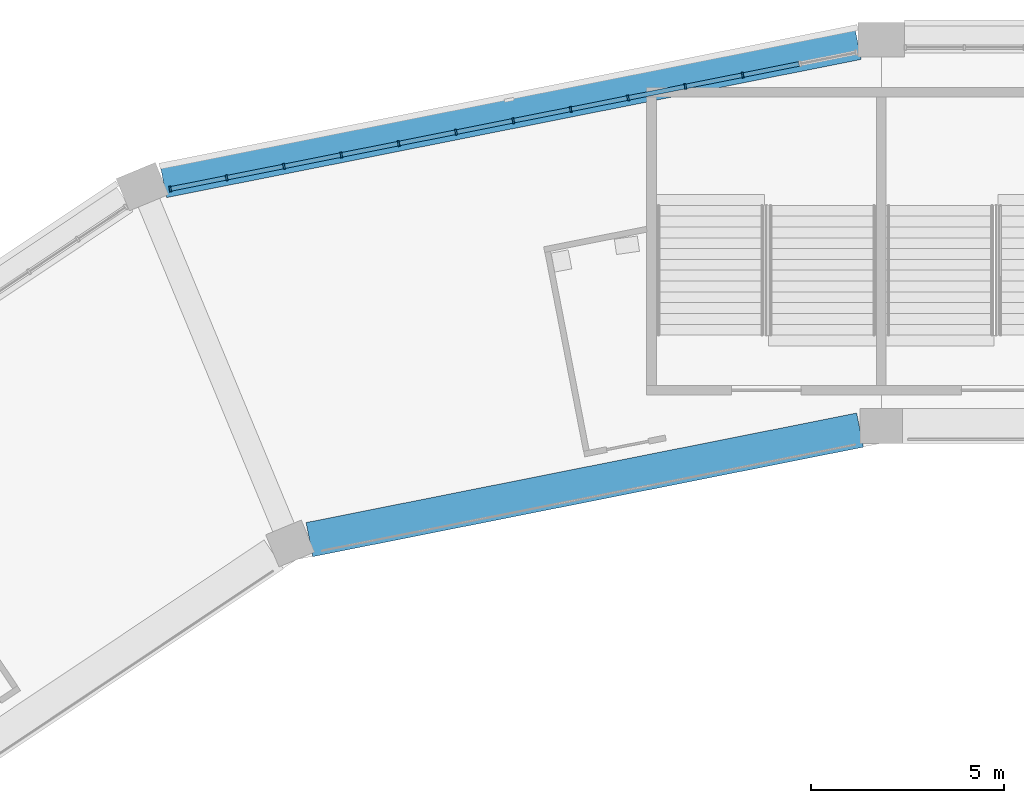
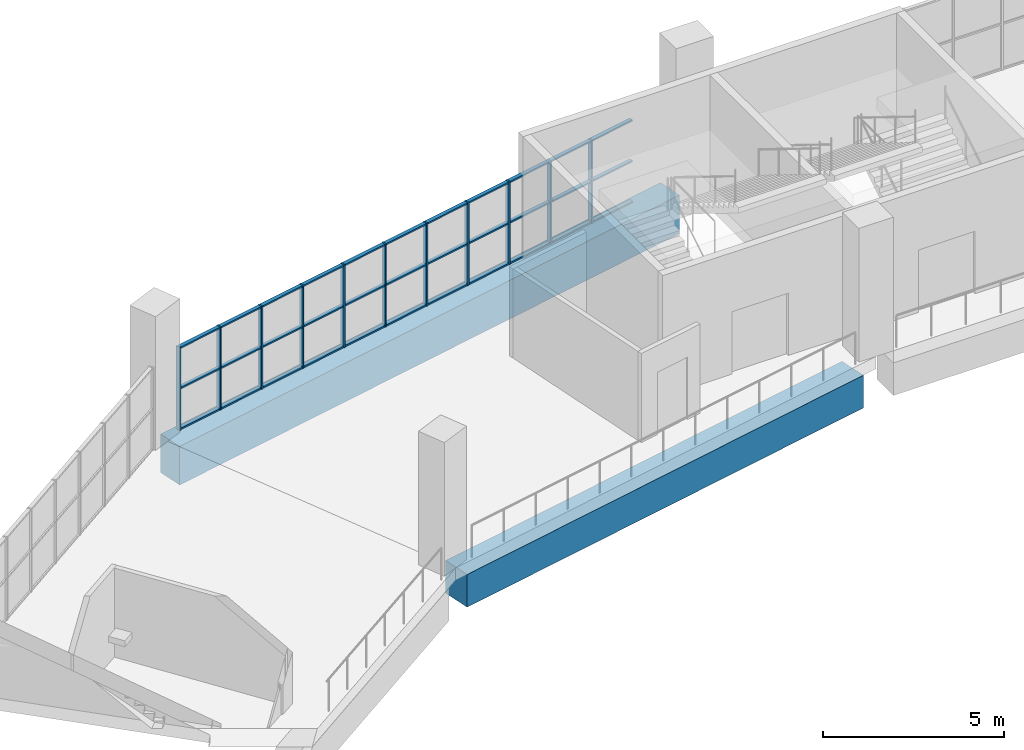
# One storey, part 31 of 177: 44 members, 2 beams, 1 element without a shape of its own.
"""IFC4 building model written with IfcOpenShell, lengths in metres."""

from ifc_helpers import new_model, si_unit, direction, frame, origin, origin_2d, place, context, subcontext, project, spatial, rectangle, extrude, material, material_profile, profile_set, type_object, element, aggregate, save


model = new_model("IFC4")

# Units and contexts
model_context = context("Model", 3, precision=1e-05, world=origin(), true_north=direction((0.0, 1.0)))
body_context = subcontext(model_context, "Body", "Model", "MODEL_VIEW")
ifc_project = project(units=[si_unit("LENGTHUNIT", "METRE"), si_unit("AREAUNIT", "SQUARE_METRE"), si_unit("VOLUMEUNIT", "CUBIC_METRE"), si_unit("PLANEANGLEUNIT", "RADIAN"), si_unit("MASSUNIT", "GRAM", prefix="KILO")], contexts=[model_context])

# Site, building, storey
site_placement = place(None, origin())
site = spatial("IfcSite", under=ifc_project, at=site_placement, CompositionType="ELEMENT")
building_placement = place(site_placement, origin())
building = spatial("IfcBuilding", under=site, at=building_placement, Name="Ogive Plaza Stadium", CompositionType="ELEMENT")
storey_placement = place(building_placement, frame((0.0, 0.0, 18.0)))
storey = spatial("IfcBuildingStorey", under=building, at=storey_placement, Name="L04", CompositionType="ELEMENT", Elevation=18.0)

# Curtain wall, members
ifc_material_1 = material(Name="Bronze-anodised aluminium with laminated glass", Category="aluminium")
curtain_wall_type = type_object("IfcCurtainWallType", Name="Lancet curtain wall", PredefinedType="NOTDEFINED", material=ifc_material_1)
curtain_wall_placement = place(storey_placement, origin())
curtain_wall = element("IfcCurtainWall", 1, at=curtain_wall_placement, inside=storey, type_object=curtain_wall_type, Name="CURTAIN WALL B31 L04", PredefinedType="NOTDEFINED")
ifc_material_2 = material(Name="Bronze-anodised aluminium", Category="aluminium")
ifc_material_profile_1 = material_profile(ifc_material_2, rectangle(XDim=0.14990234375, YDim=0.050048828125, at=origin_2d()), Name="AL 150x50")
ifc_profile_set_1 = profile_set([ifc_material_profile_1], Name="Bronze-anodised aluminium")
member_type_1 = type_object("IfcMemberType", Name="Curtain wall mullion 50x150", PredefinedType="MULLION", material=ifc_profile_set_1)
member_1_placement = place(storey_placement, frame((-52.412109375, 98.6337890625, 0.0), z_axis=(0.0, 0.0, 1.0), x_axis=(-0.195090322016, 0.980785280403, 0.0)))
member_1 = element("IfcMember", 2, at=member_1_placement, type_object=member_type_1, Name="CW-B31-L04 mullion 1", PredefinedType="MULLION", context=body_context, shape_type="SweptSolid", body=[
    extrude(rectangle(XDim=0.14990234375, YDim=0.050048828125, at=origin_2d()), origin(), (0.0, 0.0, 1.0), 2.7900390625),
])
member_2_placement = place(storey_placement, frame((-50.951904296875, 98.924072265625, 0.0), z_axis=(0.0, 0.0, 1.0), x_axis=(-0.195090322016, 0.980785280403, 0.0)))
member_2 = element("IfcMember", 3, at=member_2_placement, type_object=member_type_1, Name="CW-B31-L04 mullion 2", PredefinedType="MULLION", context=body_context, shape_type="SweptSolid", body=[
    extrude(rectangle(XDim=0.14990234375, YDim=0.050048828125, at=origin_2d()), origin(), (0.0, 0.0, 1.0), 2.7900390625),
])
member_3_placement = place(storey_placement, frame((-49.467041015625, 99.219482421875, 0.0), z_axis=(0.0, 0.0, 1.0), x_axis=(-0.195090322016, 0.980785280403, 0.0)))
member_3 = element("IfcMember", 4, at=member_3_placement, type_object=member_type_1, Name="CW-B31-L04 mullion 3", PredefinedType="MULLION", context=body_context, shape_type="SweptSolid", body=[
    extrude(rectangle(XDim=0.14990234375, YDim=0.050048828125, at=origin_2d()), origin(), (0.0, 0.0, 1.0), 2.7900390625),
])
member_4_placement = place(storey_placement, frame((-47.982421875, 99.514892578125, 0.0), z_axis=(0.0, 0.0, 1.0), x_axis=(-0.195090322016, 0.980785280403, 0.0)))
member_4 = element("IfcMember", 5, at=member_4_placement, type_object=member_type_1, Name="CW-B31-L04 mullion 4", PredefinedType="MULLION", context=body_context, shape_type="SweptSolid", body=[
    extrude(rectangle(XDim=0.14990234375, YDim=0.050048828125, at=origin_2d()), origin(), (0.0, 0.0, 1.0), 2.7900390625),
])
member_5_placement = place(storey_placement, frame((-46.49755859375, 99.81005859375, 0.0), z_axis=(0.0, 0.0, 1.0), x_axis=(-0.195090322016, 0.980785280403, 0.0)))
member_5 = element("IfcMember", 6, at=member_5_placement, type_object=member_type_1, Name="CW-B31-L04 mullion 5", PredefinedType="MULLION", context=body_context, shape_type="SweptSolid", body=[
    extrude(rectangle(XDim=0.14990234375, YDim=0.050048828125, at=origin_2d()), origin(), (0.0, 0.0, 1.0), 2.7900390625),
])
member_6_placement = place(storey_placement, frame((-45.012939453125, 100.10546875, 0.0), z_axis=(0.0, 0.0, 1.0), x_axis=(-0.195090322016, 0.980785280403, 0.0)))
member_6 = element("IfcMember", 7, at=member_6_placement, type_object=member_type_1, Name="CW-B31-L04 mullion 6", PredefinedType="MULLION", context=body_context, shape_type="SweptSolid", body=[
    extrude(rectangle(XDim=0.14990234375, YDim=0.050048828125, at=origin_2d()), origin(), (0.0, 0.0, 1.0), 2.7900390625),
])
member_7_placement = place(storey_placement, frame((-43.528076171875, 100.40087890625, 0.0), z_axis=(0.0, 0.0, 1.0), x_axis=(-0.195090322016, 0.980785280403, 0.0)))
member_7 = element("IfcMember", 8, at=member_7_placement, type_object=member_type_1, Name="CW-B31-L04 mullion 7", PredefinedType="MULLION", context=body_context, shape_type="SweptSolid", body=[
    extrude(rectangle(XDim=0.14990234375, YDim=0.050048828125, at=origin_2d()), origin(), (0.0, 0.0, 1.0), 2.7900390625),
])
member_8_placement = place(storey_placement, frame((-42.043212890625, 100.6962890625, 0.0), z_axis=(0.0, 0.0, 1.0), x_axis=(-0.195090322016, 0.980785280403, 0.0)))
member_8 = element("IfcMember", 9, at=member_8_placement, type_object=member_type_1, Name="CW-B31-L04 mullion 8", PredefinedType="MULLION", context=body_context, shape_type="SweptSolid", body=[
    extrude(rectangle(XDim=0.14990234375, YDim=0.050048828125, at=origin_2d()), origin(), (0.0, 0.0, 1.0), 2.7900390625),
])
member_9_placement = place(storey_placement, frame((-40.55859375, 100.991455078125, 0.0), z_axis=(0.0, 0.0, 1.0), x_axis=(-0.195090322016, 0.980785280403, 0.0)))
member_9 = element("IfcMember", 10, at=member_9_placement, type_object=member_type_1, Name="CW-B31-L04 mullion 9", PredefinedType="MULLION", context=body_context, shape_type="SweptSolid", body=[
    extrude(rectangle(XDim=0.14990234375, YDim=0.050048828125, at=origin_2d()), origin(), (0.0, 0.0, 1.0), 2.7900390625),
])
member_10_placement = place(storey_placement, frame((-39.07373046875, 101.286865234375, 0.0), z_axis=(0.0, 0.0, 1.0), x_axis=(-0.195090322016, 0.980785280403, 0.0)))
member_10 = element("IfcMember", 11, at=member_10_placement, type_object=member_type_1, Name="CW-B31-L04 mullion 10", PredefinedType="MULLION", context=body_context, shape_type="SweptSolid", body=[
    extrude(rectangle(XDim=0.14990234375, YDim=0.050048828125, at=origin_2d()), origin(), (0.0, 0.0, 1.0), 2.7900390625),
])
member_11_placement = place(storey_placement, frame((-37.589111328125, 101.582275390625, 0.0), z_axis=(0.0, 0.0, 1.0), x_axis=(-0.195090322016, 0.980785280403, 0.0)))
member_11 = element("IfcMember", 12, at=member_11_placement, type_object=member_type_1, Name="CW-B31-L04 mullion 11", PredefinedType="MULLION", context=body_context, shape_type="SweptSolid", body=[
    extrude(rectangle(XDim=0.14990234375, YDim=0.050048828125, at=origin_2d()), origin(), (0.0, 0.0, 1.0), 2.7900390625),
])
ifc_material_3 = material(Name="Bronze-anodised aluminium", Category="aluminium")
ifc_material_profile_2 = material_profile(ifc_material_3, rectangle(XDim=0.1201171875, YDim=0.050048828125, at=origin_2d()), Name="AL 120x50")
ifc_profile_set_2 = profile_set([ifc_material_profile_2], Name="Bronze-anodised aluminium")
member_type_2 = type_object("IfcMemberType", Name="Curtain wall transom 50x120", PredefinedType="USERDEFINED", material=ifc_profile_set_2)
member_12_placement = place(storey_placement, frame((-52.3876953125, 98.638671875, 0.02490234375), z_axis=(0.980814888552, 0.194941412722, 0.0), x_axis=(-0.194941412722, 0.980814888552, 0.0)))
member_12 = element("IfcMember", 13, at=member_12_placement, type_object=member_type_2, Name="CW-B31-L04 transom 1.1", ObjectType="TRANSOM", PredefinedType="USERDEFINED", context=body_context, shape_type="SweptSolid", body=[
    extrude(rectangle(XDim=0.1201171875, YDim=0.050048828125, at=origin_2d()), origin(), (0.0, 0.0, 1.0), 1.43896484375),
])
member_13_placement = place(storey_placement, frame((-52.3876953125, 98.638671875, 1.39501953125), z_axis=(0.980814888552, 0.194941412722, 0.0), x_axis=(-0.194941412722, 0.980814888552, 0.0)))
member_13 = element("IfcMember", 14, at=member_13_placement, type_object=member_type_2, Name="CW-B31-L04 transom 1.2", ObjectType="TRANSOM", PredefinedType="USERDEFINED", context=body_context, shape_type="SweptSolid", body=[
    extrude(rectangle(XDim=0.1201171875, YDim=0.050048828125, at=origin_2d()), origin(), (0.0, 0.0, 1.0), 1.43896484375),
])
member_14_placement = place(storey_placement, frame((-52.3876953125, 98.638671875, 2.764892578125), z_axis=(0.980814888552, 0.194941412722, 0.0), x_axis=(-0.194941412722, 0.980814888552, 0.0)))
member_14 = element("IfcMember", 15, at=member_14_placement, type_object=member_type_2, Name="CW-B31-L04 transom 1.3", ObjectType="TRANSOM", PredefinedType="USERDEFINED", context=body_context, shape_type="SweptSolid", body=[
    extrude(rectangle(XDim=0.1201171875, YDim=0.050048828125, at=origin_2d()), origin(), (0.0, 0.0, 1.0), 1.43896484375),
])
member_15_placement = place(storey_placement, frame((-50.92724609375, 98.928955078125, 0.02490234375), z_axis=(0.980772662828, 0.195153744134, 0.0), x_axis=(-0.195153744134, 0.980772662828, 0.0)))
member_15 = element("IfcMember", 16, at=member_15_placement, type_object=member_type_2, Name="CW-B31-L04 transom 2.1", ObjectType="TRANSOM", PredefinedType="USERDEFINED", context=body_context, shape_type="SweptSolid", body=[
    extrude(rectangle(XDim=0.1201171875, YDim=0.050048828125, at=origin_2d()), origin(), (0.0, 0.0, 1.0), 1.463623046875),
])
member_16_placement = place(storey_placement, frame((-50.92724609375, 98.928955078125, 1.39501953125), z_axis=(0.980772662828, 0.195153744134, 0.0), x_axis=(-0.195153744134, 0.980772662828, 0.0)))
member_16 = element("IfcMember", 17, at=member_16_placement, type_object=member_type_2, Name="CW-B31-L04 transom 2.2", ObjectType="TRANSOM", PredefinedType="USERDEFINED", context=body_context, shape_type="SweptSolid", body=[
    extrude(rectangle(XDim=0.1201171875, YDim=0.050048828125, at=origin_2d()), origin(), (0.0, 0.0, 1.0), 1.463623046875),
])
member_17_placement = place(storey_placement, frame((-50.92724609375, 98.928955078125, 2.764892578125), z_axis=(0.980772662828, 0.195153744134, 0.0), x_axis=(-0.195153744134, 0.980772662828, 0.0)))
member_17 = element("IfcMember", 18, at=member_17_placement, type_object=member_type_2, Name="CW-B31-L04 transom 2.3", ObjectType="TRANSOM", PredefinedType="USERDEFINED", context=body_context, shape_type="SweptSolid", body=[
    extrude(rectangle(XDim=0.1201171875, YDim=0.050048828125, at=origin_2d()), origin(), (0.0, 0.0, 1.0), 1.463623046875),
])
member_18_placement = place(storey_placement, frame((-49.442626953125, 99.224365234375, 0.02490234375), z_axis=(0.980779013771, 0.195121823859, 0.0), x_axis=(-0.195121823859, 0.980779013771, 0.0)))
member_18 = element("IfcMember", 19, at=member_18_placement, type_object=member_type_2, Name="CW-B31-L04 transom 3.1", ObjectType="TRANSOM", PredefinedType="USERDEFINED", context=body_context, shape_type="SweptSolid", body=[
    extrude(rectangle(XDim=0.1201171875, YDim=0.050048828125, at=origin_2d()), origin(), (0.0, 0.0, 1.0), 1.4638671875),
])
member_19_placement = place(storey_placement, frame((-49.442626953125, 99.224365234375, 1.39501953125), z_axis=(0.980779013771, 0.195121823859, 0.0), x_axis=(-0.195121823859, 0.980779013771, 0.0)))
member_19 = element("IfcMember", 20, at=member_19_placement, type_object=member_type_2, Name="CW-B31-L04 transom 3.2", ObjectType="TRANSOM", PredefinedType="USERDEFINED", context=body_context, shape_type="SweptSolid", body=[
    extrude(rectangle(XDim=0.1201171875, YDim=0.050048828125, at=origin_2d()), origin(), (0.0, 0.0, 1.0), 1.4638671875),
])
member_20_placement = place(storey_placement, frame((-49.442626953125, 99.224365234375, 2.764892578125), z_axis=(0.980779013771, 0.195121823859, 0.0), x_axis=(-0.195121823859, 0.980779013771, 0.0)))
member_20 = element("IfcMember", 21, at=member_20_placement, type_object=member_type_2, Name="CW-B31-L04 transom 3.3", ObjectType="TRANSOM", PredefinedType="USERDEFINED", context=body_context, shape_type="SweptSolid", body=[
    extrude(rectangle(XDim=0.1201171875, YDim=0.050048828125, at=origin_2d()), origin(), (0.0, 0.0, 1.0), 1.4638671875),
])
member_21_placement = place(storey_placement, frame((-47.957763671875, 99.519775390625, 0.02490234375), z_axis=(0.980804576136, 0.194993290732, 0.0), x_axis=(-0.194993290732, 0.980804576136, 0.0)))
member_21 = element("IfcMember", 22, at=member_21_placement, type_object=member_type_2, Name="CW-B31-L04 transom 4.1", ObjectType="TRANSOM", PredefinedType="USERDEFINED", context=body_context, shape_type="SweptSolid", body=[
    extrude(rectangle(XDim=0.1201171875, YDim=0.050048828125, at=origin_2d()), origin(), (0.0, 0.0, 1.0), 1.463623046875),
])
member_22_placement = place(storey_placement, frame((-47.957763671875, 99.519775390625, 1.39501953125), z_axis=(0.980804576136, 0.194993290732, 0.0), x_axis=(-0.194993290732, 0.980804576136, 0.0)))
member_22 = element("IfcMember", 23, at=member_22_placement, type_object=member_type_2, Name="CW-B31-L04 transom 4.2", ObjectType="TRANSOM", PredefinedType="USERDEFINED", context=body_context, shape_type="SweptSolid", body=[
    extrude(rectangle(XDim=0.1201171875, YDim=0.050048828125, at=origin_2d()), origin(), (0.0, 0.0, 1.0), 1.463623046875),
])
member_23_placement = place(storey_placement, frame((-47.957763671875, 99.519775390625, 2.764892578125), z_axis=(0.980804576136, 0.194993290732, 0.0), x_axis=(-0.194993290732, 0.980804576136, 0.0)))
member_23 = element("IfcMember", 24, at=member_23_placement, type_object=member_type_2, Name="CW-B31-L04 transom 4.3", ObjectType="TRANSOM", PredefinedType="USERDEFINED", context=body_context, shape_type="SweptSolid", body=[
    extrude(rectangle(XDim=0.1201171875, YDim=0.050048828125, at=origin_2d()), origin(), (0.0, 0.0, 1.0), 1.463623046875),
])
member_24_placement = place(storey_placement, frame((-46.47314453125, 99.81494140625, 0.02490234375), z_axis=(0.980779013771, 0.195121823859, 0.0), x_axis=(-0.195121823859, 0.980779013771, 0.0)))
member_24 = element("IfcMember", 25, at=member_24_placement, type_object=member_type_2, Name="CW-B31-L04 transom 5.1", ObjectType="TRANSOM", PredefinedType="USERDEFINED", context=body_context, shape_type="SweptSolid", body=[
    extrude(rectangle(XDim=0.1201171875, YDim=0.050048828125, at=origin_2d()), origin(), (0.0, 0.0, 1.0), 1.4638671875),
])
member_25_placement = place(storey_placement, frame((-46.47314453125, 99.81494140625, 1.39501953125), z_axis=(0.980779013771, 0.195121823859, 0.0), x_axis=(-0.195121823859, 0.980779013771, 0.0)))
member_25 = element("IfcMember", 26, at=member_25_placement, type_object=member_type_2, Name="CW-B31-L04 transom 5.2", ObjectType="TRANSOM", PredefinedType="USERDEFINED", context=body_context, shape_type="SweptSolid", body=[
    extrude(rectangle(XDim=0.1201171875, YDim=0.050048828125, at=origin_2d()), origin(), (0.0, 0.0, 1.0), 1.4638671875),
])
member_26_placement = place(storey_placement, frame((-46.47314453125, 99.81494140625, 2.764892578125), z_axis=(0.980779013771, 0.195121823859, 0.0), x_axis=(-0.195121823859, 0.980779013771, 0.0)))
member_26 = element("IfcMember", 27, at=member_26_placement, type_object=member_type_2, Name="CW-B31-L04 transom 5.3", ObjectType="TRANSOM", PredefinedType="USERDEFINED", context=body_context, shape_type="SweptSolid", body=[
    extrude(rectangle(XDim=0.1201171875, YDim=0.050048828125, at=origin_2d()), origin(), (0.0, 0.0, 1.0), 1.4638671875),
])
member_27_placement = place(storey_placement, frame((-44.98828125, 100.1103515625, 0.02490234375), z_axis=(0.980779013771, 0.195121823859, 0.0), x_axis=(-0.195121823859, 0.980779013771, 0.0)))
member_27 = element("IfcMember", 28, at=member_27_placement, type_object=member_type_2, Name="CW-B31-L04 transom 6.1", ObjectType="TRANSOM", PredefinedType="USERDEFINED", context=body_context, shape_type="SweptSolid", body=[
    extrude(rectangle(XDim=0.1201171875, YDim=0.050048828125, at=origin_2d()), origin(), (0.0, 0.0, 1.0), 1.4638671875),
])
member_28_placement = place(storey_placement, frame((-44.98828125, 100.1103515625, 1.39501953125), z_axis=(0.980779013771, 0.195121823859, 0.0), x_axis=(-0.195121823859, 0.980779013771, 0.0)))
member_28 = element("IfcMember", 29, at=member_28_placement, type_object=member_type_2, Name="CW-B31-L04 transom 6.2", ObjectType="TRANSOM", PredefinedType="USERDEFINED", context=body_context, shape_type="SweptSolid", body=[
    extrude(rectangle(XDim=0.1201171875, YDim=0.050048828125, at=origin_2d()), origin(), (0.0, 0.0, 1.0), 1.4638671875),
])
member_29_placement = place(storey_placement, frame((-44.98828125, 100.1103515625, 2.764892578125), z_axis=(0.980779013771, 0.195121823859, 0.0), x_axis=(-0.195121823859, 0.980779013771, 0.0)))
member_29 = element("IfcMember", 30, at=member_29_placement, type_object=member_type_2, Name="CW-B31-L04 transom 6.3", ObjectType="TRANSOM", PredefinedType="USERDEFINED", context=body_context, shape_type="SweptSolid", body=[
    extrude(rectangle(XDim=0.1201171875, YDim=0.050048828125, at=origin_2d()), origin(), (0.0, 0.0, 1.0), 1.4638671875),
])
member_30_placement = place(storey_placement, frame((-43.503662109375, 100.40576171875, 0.02490234375), z_axis=(0.980779013771, 0.195121823859, 0.0), x_axis=(-0.195121823859, 0.980779013771, 0.0)))
member_30 = element("IfcMember", 31, at=member_30_placement, type_object=member_type_2, Name="CW-B31-L04 transom 7.1", ObjectType="TRANSOM", PredefinedType="USERDEFINED", context=body_context, shape_type="SweptSolid", body=[
    extrude(rectangle(XDim=0.1201171875, YDim=0.050048828125, at=origin_2d()), origin(), (0.0, 0.0, 1.0), 1.4638671875),
])
member_31_placement = place(storey_placement, frame((-43.503662109375, 100.40576171875, 1.39501953125), z_axis=(0.980779013771, 0.195121823859, 0.0), x_axis=(-0.195121823859, 0.980779013771, 0.0)))
member_31 = element("IfcMember", 32, at=member_31_placement, type_object=member_type_2, Name="CW-B31-L04 transom 7.2", ObjectType="TRANSOM", PredefinedType="USERDEFINED", context=body_context, shape_type="SweptSolid", body=[
    extrude(rectangle(XDim=0.1201171875, YDim=0.050048828125, at=origin_2d()), origin(), (0.0, 0.0, 1.0), 1.4638671875),
])
member_32_placement = place(storey_placement, frame((-43.503662109375, 100.40576171875, 2.764892578125), z_axis=(0.980779013771, 0.195121823859, 0.0), x_axis=(-0.195121823859, 0.980779013771, 0.0)))
member_32 = element("IfcMember", 33, at=member_32_placement, type_object=member_type_2, Name="CW-B31-L04 transom 7.3", ObjectType="TRANSOM", PredefinedType="USERDEFINED", context=body_context, shape_type="SweptSolid", body=[
    extrude(rectangle(XDim=0.1201171875, YDim=0.050048828125, at=origin_2d()), origin(), (0.0, 0.0, 1.0), 1.4638671875),
])
member_33_placement = place(storey_placement, frame((-42.018798828125, 100.700927734375, 0.02490234375), z_axis=(0.980779013771, 0.195121823859, 0.0), x_axis=(-0.195121823859, 0.980779013771, 0.0)))
member_33 = element("IfcMember", 34, at=member_33_placement, type_object=member_type_2, Name="CW-B31-L04 transom 8.1", ObjectType="TRANSOM", PredefinedType="USERDEFINED", context=body_context, shape_type="SweptSolid", body=[
    extrude(rectangle(XDim=0.1201171875, YDim=0.050048828125, at=origin_2d()), origin(), (0.0, 0.0, 1.0), 1.4638671875),
])
member_34_placement = place(storey_placement, frame((-42.018798828125, 100.700927734375, 1.39501953125), z_axis=(0.980779013771, 0.195121823859, 0.0), x_axis=(-0.195121823859, 0.980779013771, 0.0)))
member_34 = element("IfcMember", 35, at=member_34_placement, type_object=member_type_2, Name="CW-B31-L04 transom 8.2", ObjectType="TRANSOM", PredefinedType="USERDEFINED", context=body_context, shape_type="SweptSolid", body=[
    extrude(rectangle(XDim=0.1201171875, YDim=0.050048828125, at=origin_2d()), origin(), (0.0, 0.0, 1.0), 1.4638671875),
])
member_35_placement = place(storey_placement, frame((-42.018798828125, 100.700927734375, 2.764892578125), z_axis=(0.980779013771, 0.195121823859, 0.0), x_axis=(-0.195121823859, 0.980779013771, 0.0)))
member_35 = element("IfcMember", 36, at=member_35_placement, type_object=member_type_2, Name="CW-B31-L04 transom 8.3", ObjectType="TRANSOM", PredefinedType="USERDEFINED", context=body_context, shape_type="SweptSolid", body=[
    extrude(rectangle(XDim=0.1201171875, YDim=0.050048828125, at=origin_2d()), origin(), (0.0, 0.0, 1.0), 1.4638671875),
])
member_36_placement = place(storey_placement, frame((-40.533935546875, 100.996337890625, 0.02490234375), z_axis=(0.980772662828, 0.195153744134, 0.0), x_axis=(-0.195153744134, 0.980772662828, 0.0)))
member_36 = element("IfcMember", 37, at=member_36_placement, type_object=member_type_2, Name="CW-B31-L04 transom 9.1", ObjectType="TRANSOM", PredefinedType="USERDEFINED", context=body_context, shape_type="SweptSolid", body=[
    extrude(rectangle(XDim=0.1201171875, YDim=0.050048828125, at=origin_2d()), origin(), (0.0, 0.0, 1.0), 1.463623046875),
])
member_37_placement = place(storey_placement, frame((-40.533935546875, 100.996337890625, 1.39501953125), z_axis=(0.980772662828, 0.195153744134, 0.0), x_axis=(-0.195153744134, 0.980772662828, 0.0)))
member_37 = element("IfcMember", 38, at=member_37_placement, type_object=member_type_2, Name="CW-B31-L04 transom 9.2", ObjectType="TRANSOM", PredefinedType="USERDEFINED", context=body_context, shape_type="SweptSolid", body=[
    extrude(rectangle(XDim=0.1201171875, YDim=0.050048828125, at=origin_2d()), origin(), (0.0, 0.0, 1.0), 1.463623046875),
])
member_38_placement = place(storey_placement, frame((-40.533935546875, 100.996337890625, 2.764892578125), z_axis=(0.980772662828, 0.195153744134, 0.0), x_axis=(-0.195153744134, 0.980772662828, 0.0)))
member_38 = element("IfcMember", 39, at=member_38_placement, type_object=member_type_2, Name="CW-B31-L04 transom 9.3", ObjectType="TRANSOM", PredefinedType="USERDEFINED", context=body_context, shape_type="SweptSolid", body=[
    extrude(rectangle(XDim=0.1201171875, YDim=0.050048828125, at=origin_2d()), origin(), (0.0, 0.0, 1.0), 1.463623046875),
])
member_39_placement = place(storey_placement, frame((-39.04931640625, 101.291748046875, 0.02490234375), z_axis=(0.980779013771, 0.195121823859, 0.0), x_axis=(-0.195121823859, 0.980779013771, 0.0)))
member_39 = element("IfcMember", 40, at=member_39_placement, type_object=member_type_2, Name="CW-B31-L04 transom 10.1", ObjectType="TRANSOM", PredefinedType="USERDEFINED", context=body_context, shape_type="SweptSolid", body=[
    extrude(rectangle(XDim=0.1201171875, YDim=0.050048828125, at=origin_2d()), origin(), (0.0, 0.0, 1.0), 1.4638671875),
])
member_40_placement = place(storey_placement, frame((-39.04931640625, 101.291748046875, 1.39501953125), z_axis=(0.980779013771, 0.195121823859, 0.0), x_axis=(-0.195121823859, 0.980779013771, 0.0)))
member_40 = element("IfcMember", 41, at=member_40_placement, type_object=member_type_2, Name="CW-B31-L04 transom 10.2", ObjectType="TRANSOM", PredefinedType="USERDEFINED", context=body_context, shape_type="SweptSolid", body=[
    extrude(rectangle(XDim=0.1201171875, YDim=0.050048828125, at=origin_2d()), origin(), (0.0, 0.0, 1.0), 1.4638671875),
])
member_41_placement = place(storey_placement, frame((-39.04931640625, 101.291748046875, 2.764892578125), z_axis=(0.980779013771, 0.195121823859, 0.0), x_axis=(-0.195121823859, 0.980779013771, 0.0)))
member_41 = element("IfcMember", 42, at=member_41_placement, type_object=member_type_2, Name="CW-B31-L04 transom 10.3", ObjectType="TRANSOM", PredefinedType="USERDEFINED", context=body_context, shape_type="SweptSolid", body=[
    extrude(rectangle(XDim=0.1201171875, YDim=0.050048828125, at=origin_2d()), origin(), (0.0, 0.0, 1.0), 1.4638671875),
])
member_42_placement = place(storey_placement, frame((-37.564453125, 101.587158203125, 0.02490234375), z_axis=(0.980804576136, 0.194993290732, 0.0), x_axis=(-0.194993290732, 0.980804576136, 0.0)))
member_42 = element("IfcMember", 43, at=member_42_placement, type_object=member_type_2, Name="CW-B31-L04 transom 11.1", ObjectType="TRANSOM", PredefinedType="USERDEFINED", context=body_context, shape_type="SweptSolid", body=[
    extrude(rectangle(XDim=0.1201171875, YDim=0.050048828125, at=origin_2d()), origin(), (0.0, 0.0, 1.0), 1.463623046875),
])
member_43_placement = place(storey_placement, frame((-37.564453125, 101.587158203125, 1.39501953125), z_axis=(0.980804576136, 0.194993290732, 0.0), x_axis=(-0.194993290732, 0.980804576136, 0.0)))
member_43 = element("IfcMember", 44, at=member_43_placement, type_object=member_type_2, Name="CW-B31-L04 transom 11.2", ObjectType="TRANSOM", PredefinedType="USERDEFINED", context=body_context, shape_type="SweptSolid", body=[
    extrude(rectangle(XDim=0.1201171875, YDim=0.050048828125, at=origin_2d()), origin(), (0.0, 0.0, 1.0), 1.463623046875),
])
member_44_placement = place(storey_placement, frame((-37.564453125, 101.587158203125, 2.764892578125), z_axis=(0.980804576136, 0.194993290732, 0.0), x_axis=(-0.194993290732, 0.980804576136, 0.0)))
member_44 = element("IfcMember", 45, at=member_44_placement, type_object=member_type_2, Name="CW-B31-L04 transom 11.3", ObjectType="TRANSOM", PredefinedType="USERDEFINED", context=body_context, shape_type="SweptSolid", body=[
    extrude(rectangle(XDim=0.1201171875, YDim=0.050048828125, at=origin_2d()), origin(), (0.0, 0.0, 1.0), 1.463623046875),
])
aggregate(curtain_wall, [member_1, member_2, member_3, member_4, member_5, member_6, member_7, member_8, member_9, member_10, member_11, member_12, member_13, member_14, member_15, member_16, member_17, member_18, member_19, member_20, member_21, member_22, member_23, member_24, member_25, member_26, member_27, member_28, member_29, member_30, member_31, member_32, member_33, member_34, member_35, member_36, member_37, member_38, member_39, member_40, member_41, member_42, member_43, member_44])

# Beams
ifc_material_4 = material(Name="Concrete C40/50", Category="concrete")
ifc_material_profile_3 = material_profile(ifc_material_4, rectangle(XDim=0.89990234375, YDim=1.10009765625, at=origin_2d()), Name="RC 900x1100")
ifc_profile_set_3 = profile_set([ifc_material_profile_3], Name="Concrete C40/50")
beam_type_1 = type_object("IfcBeamType", Name="RC ring beam 900x1100", PredefinedType="BEAM", material=ifc_profile_set_3)
beam_1_placement = place(storey_placement, frame((-48.807373046875, 89.5546875, -0.9599609375), z_axis=(0.980785551724, 0.195088957992, 0.0), x_axis=(-0.195088957992, 0.980785551724, 0.0)))
element("IfcBeam", 46, at=beam_1_placement, inside=storey, type_object=beam_type_1, Name="Ring beam F4 L04 B31", PredefinedType="BEAM", context=body_context, shape_type="SweptSolid", body=[
    extrude(rectangle(XDim=0.89990234375, YDim=1.10009765625, at=origin_2d()), origin(), (0.0, 0.0, 1.0), 14.53662109375),
])
ifc_material_5 = material(Name="Concrete C40/50", Category="concrete")
ifc_material_profile_4 = material_profile(ifc_material_5, rectangle(XDim=0.800048828125, YDim=1.300048828125, at=origin_2d()), Name="RC 800x1300")
ifc_profile_set_4 = profile_set([ifc_material_profile_4], Name="Concrete C40/50")
beam_type_2 = type_object("IfcBeamType", Name="RC spandrel beam 800x1300", PredefinedType="SPANDREL", material=ifc_profile_set_4)
beam_2_placement = place(storey_placement, frame((-52.584228515625, 98.803466796875, -1.06005859375), z_axis=(0.980786507619, 0.195084152283, 0.0), x_axis=(-0.195084152283, 0.980786507619, 0.0)))
element("IfcBeam", 47, at=beam_2_placement, inside=storey, type_object=beam_type_2, Name="Ring beam F5 L04 B31", PredefinedType="SPANDREL", context=body_context, shape_type="SweptSolid", body=[
    extrude(rectangle(XDim=0.800048828125, YDim=1.300048828125, at=origin_2d()), origin(), (0.0, 0.0, 1.0), 18.33642578125),
])

save(model, "model.ifc")
